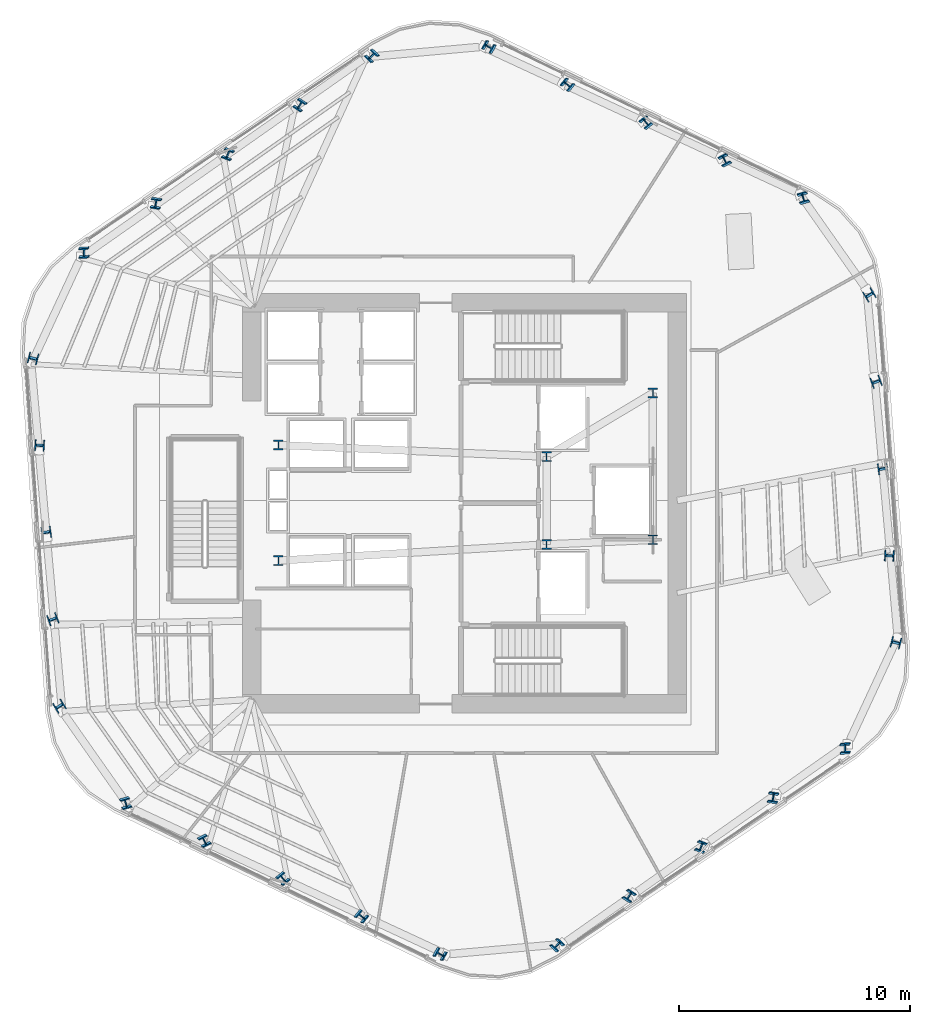
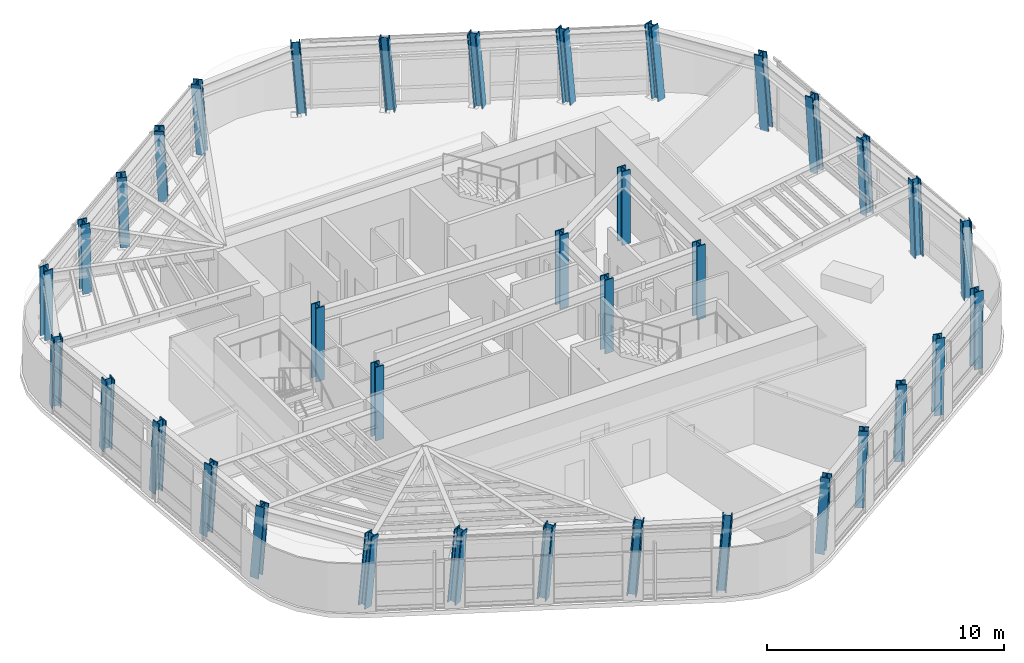
# One storey, part 1 of 15: 36 columns.
"""IFC4 building model written with IfcOpenShell, lengths in metres."""

from ifc_helpers import new_model, si_unit, direction, frame, origin, origin_2d, place, context, subcontext, project, spatial, i_section, extrude, material, material_profile, profile_set, type_object, element, save


model = new_model("IFC4")

# Units and contexts
model_context = context("Model", 3, precision=1e-05, world=origin(), true_north=direction((0.0, 1.0)))
body_context = subcontext(model_context, "Body", "Model", "MODEL_VIEW")
ifc_project = project(units=[si_unit("LENGTHUNIT", "METRE"), si_unit("AREAUNIT", "SQUARE_METRE"), si_unit("VOLUMEUNIT", "CUBIC_METRE"), si_unit("PLANEANGLEUNIT", "RADIAN"), si_unit("MASSUNIT", "GRAM", prefix="KILO")], contexts=[model_context])

# Site, building, storey
site_placement = place(None, origin())
site = spatial("IfcSite", under=ifc_project, at=site_placement, CompositionType="ELEMENT")
building_placement = place(site_placement, origin())
building = spatial("IfcBuilding", under=site, at=building_placement, Name="Valkerne Bourse Tower", CompositionType="ELEMENT")
storey_placement = place(building_placement, frame((0.0, 0.0, 170.39990234375)))
storey = spatial("IfcBuildingStorey", under=building, at=storey_placement, Name="L43", CompositionType="ELEMENT", Elevation=170.39990234375)

# Columns
ifc_material = material(Name="Steel ASTM A913 Grade 65", Category="steel")
ifc_material_profile_1 = material_profile(ifc_material, i_section(OverallWidth=0.406494140625, OverallDepth=0.41650390625, WebThickness=0.02978515625, FlangeThickness=0.048095703125, FilletRadius=0.025390625, at=origin_2d()), Name="W14X257")
ifc_profile_set_1 = profile_set([ifc_material_profile_1], Name="Steel ASTM A913 Grade 65")
column_type_1 = type_object("IfcColumnType", Name="COL-W14X257", PredefinedType="COLUMN", material=ifc_profile_set_1)
column_1_placement = place(storey_placement, frame((61.48681640625, 40.05224609375, 0.010009765625), z_axis=(-0.054573994097, 0.060366045358, 0.996683309651), x_axis=(0.958762762517, 0.281992045064, 0.035418240095)))
element("IfcColumn", 1, at=column_1_placement, inside=storey, type_object=column_type_1, Name="L43 Helical Perimeter Tube Column F1-C1", PredefinedType="COLUMN", context=body_context, shape_type="SweptSolid", body=[
    extrude(i_section(OverallWidth=0.406494140625, OverallDepth=0.41650390625, WebThickness=0.02978515625, FlangeThickness=0.048095703125, FilletRadius=0.025390625, at=origin_2d()), origin(), (0.0, 0.0, 1.0), 3.793701171875),
])
column_2_placement = place(storey_placement, frame((58.091552734375, 41.693359375, 0.010009765625), z_axis=(-0.061225194993, 0.046289080126, 0.997050047169), x_axis=(0.889116827942, 0.456459547518, 0.033405804139)))
element("IfcColumn", 2, at=column_2_placement, inside=storey, type_object=column_type_1, Name="L43 Helical Perimeter Tube Column F1-C2", PredefinedType="COLUMN", context=body_context, shape_type="SweptSolid", body=[
    extrude(i_section(OverallWidth=0.406494140625, OverallDepth=0.41650390625, WebThickness=0.02978515625, FlangeThickness=0.048095703125, FilletRadius=0.025390625, at=origin_2d()), origin(), (0.0, 0.0, 1.0), 3.792236328125),
])
column_3_placement = place(storey_placement, frame((54.696533203125, 43.334716796875, 0.010009765625), z_axis=(-0.067928907619, 0.03219379508, 0.997170608807), x_axis=(0.777763971271, 0.627704389264, 0.032717039779)))
element("IfcColumn", 3, at=column_3_placement, inside=storey, type_object=column_type_1, Name="L43 Helical Perimeter Tube Column F1-C3", PredefinedType="COLUMN", context=body_context, shape_type="SweptSolid", body=[
    extrude(i_section(OverallWidth=0.406494140625, OverallDepth=0.41650390625, WebThickness=0.02978515625, FlangeThickness=0.048095703125, FilletRadius=0.025390625, at=origin_2d()), origin(), (0.0, 0.0, 1.0), 3.791748046875),
])
column_4_placement = place(storey_placement, frame((51.301513671875, 44.975830078125, 0.010009765625), z_axis=(-0.074616058452, 0.018090692343, 0.997048228859), x_axis=(0.633865059269, 0.772721458257, 0.033416082774)))
element("IfcColumn", 4, at=column_4_placement, inside=storey, type_object=column_type_1, Name="L43 Helical Perimeter Tube Column F1-C4", PredefinedType="COLUMN", context=body_context, shape_type="SweptSolid", body=[
    extrude(i_section(OverallWidth=0.406494140625, OverallDepth=0.41650390625, WebThickness=0.02978515625, FlangeThickness=0.048095703125, FilletRadius=0.025390625, at=origin_2d()), origin(), (0.0, 0.0, 1.0), 3.792236328125),
])
column_5_placement = place(storey_placement, frame((47.90625, 46.6171875, 0.010009765625), z_axis=(-0.081281795783, 0.003925724104, 0.996683429362), x_axis=(0.476715268701, 0.878343979349, 0.035417601965)))
element("IfcColumn", 5, at=column_5_placement, inside=storey, type_object=column_type_1, Name="L43 Helical Perimeter Tube Column F1-C5", PredefinedType="COLUMN", context=body_context, shape_type="SweptSolid", body=[
    extrude(i_section(OverallWidth=0.406494140625, OverallDepth=0.41650390625, WebThickness=0.02978515625, FlangeThickness=0.048095703125, FilletRadius=0.025390625, at=origin_2d()), origin(), (0.0, 0.0, 1.0), 3.793701171875),
])
column_6_placement = place(storey_placement, frame((42.83984375, 46.2451171875, 0.010009765625), z_axis=(-0.079544426954, -0.016990071777, 0.99668652123), x_axis=(-0.72062420747, 0.691816821459, -0.045719111485)))
element("IfcColumn", 6, at=column_6_placement, inside=storey, type_object=column_type_1, Name="L43 Helical Perimeter Tube Column F2-C1", PredefinedType="COLUMN", context=body_context, shape_type="SweptSolid", body=[
    extrude(i_section(OverallWidth=0.406494140625, OverallDepth=0.41650390625, WebThickness=0.02978515625, FlangeThickness=0.048095703125, FilletRadius=0.025390625, at=origin_2d()), origin(), (0.0, 0.0, 1.0), 3.79345703125),
])
column_7_placement = place(storey_placement, frame((39.720947265625, 44.12548828125, 0.010009765625), z_axis=(-0.070689094076, -0.029872258335, 0.997051001785), x_axis=(-0.838171352748, 0.543698566715, -0.043135275416)))
element("IfcColumn", 7, at=column_7_placement, inside=storey, type_object=column_type_1, Name="L43 Helical Perimeter Tube Column F2-C2", PredefinedType="COLUMN", context=body_context, shape_type="SweptSolid", body=[
    extrude(i_section(OverallWidth=0.406494140625, OverallDepth=0.41650390625, WebThickness=0.02978515625, FlangeThickness=0.048095703125, FilletRadius=0.025390625, at=origin_2d()), origin(), (0.0, 0.0, 1.0), 3.792236328125),
])
column_8_placement = place(storey_placement, frame((36.60205078125, 42.005859375, 0.010009765625), z_axis=(-0.061876465807, -0.042688966524, 0.997170474451), x_axis=(-0.931027569482, 0.362494533211, -0.042253736602)))
element("IfcColumn", 8, at=column_8_placement, inside=storey, type_object=column_type_1, Name="L43 Helical Perimeter Tube Column F2-C3", PredefinedType="COLUMN", context=body_context, shape_type="SweptSolid", body=[
    extrude(i_section(OverallWidth=0.406494140625, OverallDepth=0.41650390625, WebThickness=0.02978515625, FlangeThickness=0.048095703125, FilletRadius=0.025390625, at=origin_2d()), origin(), (0.0, 0.0, 1.0), 3.791748046875),
])
column_9_placement = place(storey_placement, frame((33.483154296875, 39.88623046875, 0.010009765625), z_axis=(-0.052984499078, -0.055559687369, 0.9970485264), x_axis=(-0.985310332742, 0.165231161367, -0.043153348717)))
element("IfcColumn", 9, at=column_9_placement, inside=storey, type_object=column_type_1, Name="L43 Helical Perimeter Tube Column F2-C4", PredefinedType="COLUMN", context=body_context, shape_type="SweptSolid", body=[
    extrude(i_section(OverallWidth=0.406494140625, OverallDepth=0.41650390625, WebThickness=0.02978515625, FlangeThickness=0.048095703125, FilletRadius=0.025390625, at=origin_2d()), origin(), (0.0, 0.0, 1.0), 3.792236328125),
])
for number, where, z_axis, x_axis, name in (
    (10, (30.364013671875, 37.7666015625, 0.010009765625), (-0.044019691949, -0.068410720091, 0.996685627516), (-0.998675997386, -0.023568034393, -0.045725266531), "L43 Helical Perimeter Tube Column F2-C5"),
    (11, (28.153076171875, 33.193115234375, 0.010009765625), (-0.02503455434, -0.077420485529, 0.996684172398), (-0.236143585995, -0.968323839644, -0.081148927103), "L43 Helical Perimeter Tube Column F3-C1"),
):
    element("IfcColumn", number, at=place(storey_placement, frame(where, z_axis=z_axis, x_axis=x_axis)), inside=storey, type_object=column_type_1, Name=name, PredefinedType="COLUMN", context=body_context, shape_type="SweptSolid", body=[
        extrude(i_section(OverallWidth=0.406494140625, OverallDepth=0.41650390625, WebThickness=0.02978515625, FlangeThickness=0.048095703125, FilletRadius=0.025390625, at=origin_2d()), origin(), (0.0, 0.0, 1.0), 3.793701171875),
    ])
column_10_placement = place(storey_placement, frame((28.42919921875, 29.43212890625, 0.010009765625), z_axis=(-0.00946383658, -0.076161351528, 0.997050592663), x_axis=(-0.049938876592, -0.995815036307, -0.076540982941)))
element("IfcColumn", 12, at=column_10_placement, inside=storey, type_object=column_type_1, Name="L43 Helical Perimeter Tube Column F3-C2", PredefinedType="COLUMN", context=body_context, shape_type="SweptSolid", body=[
    extrude(i_section(OverallWidth=0.406494140625, OverallDepth=0.41650390625, WebThickness=0.02978515625, FlangeThickness=0.048095703125, FilletRadius=0.025390625, at=origin_2d()), origin(), (0.0, 0.0, 1.0), 3.792236328125),
])
column_11_placement = place(storey_placement, frame((28.70556640625, 25.671142578125, 0.010009765625), z_axis=(0.0060524538, -0.074883018819, 0.997173957389), x_axis=(0.153119455541, -0.985363185651, -0.07492546095)))
element("IfcColumn", 13, at=column_11_placement, inside=storey, type_object=column_type_1, Name="L43 Helical Perimeter Tube Column F3-C3", PredefinedType="COLUMN", context=body_context, shape_type="SweptSolid", body=[
    extrude(i_section(OverallWidth=0.406494140625, OverallDepth=0.41650390625, WebThickness=0.02978515625, FlangeThickness=0.048095703125, FilletRadius=0.025390625, at=origin_2d()), origin(), (0.0, 0.0, 1.0), 3.791748046875),
])
column_12_placement = place(storey_placement, frame((28.981689453125, 21.910400390625, 0.010009765625), z_axis=(0.021631602531, -0.073650456236, 0.997049489277), x_axis=(0.350487046379, -0.933433511178, -0.076555277612)))
element("IfcColumn", 14, at=column_12_placement, inside=storey, type_object=column_type_1, Name="L43 Helical Perimeter Tube Column F3-C4", PredefinedType="COLUMN", context=body_context, shape_type="SweptSolid", body=[
    extrude(i_section(OverallWidth=0.406494140625, OverallDepth=0.41650390625, WebThickness=0.02978515625, FlangeThickness=0.048095703125, FilletRadius=0.025390625, at=origin_2d()), origin(), (0.0, 0.0, 1.0), 3.792236328125),
])
for number, where, z_axis, x_axis, name in (
    (15, (29.2578125, 18.1494140625, 0.010009765625), (0.037197954939, -0.072336507529, 0.996686380878), (0.519704028106, -0.850486304125, -0.081121943183), "L43 Helical Perimeter Tube Column F3-C5"),
    (16, (32.11328125, 13.94775390625, 0.010009765625), (0.054509829307, -0.06036625725, 0.996686808127), (0.958929132182, 0.281428123565, -0.035399586431), "L43 Helical Perimeter Tube Column F4-C1"),
):
    element("IfcColumn", number, at=place(storey_placement, frame(where, z_axis=z_axis, x_axis=x_axis)), inside=storey, type_object=column_type_1, Name=name, PredefinedType="COLUMN", context=body_context, shape_type="SweptSolid", body=[
        extrude(i_section(OverallWidth=0.406494140625, OverallDepth=0.41650390625, WebThickness=0.02978515625, FlangeThickness=0.048095703125, FilletRadius=0.025390625, at=origin_2d()), origin(), (0.0, 0.0, 1.0), 3.79345703125),
    ])
column_13_placement = place(storey_placement, frame((35.50830078125, 12.306640625, 0.010009765625), z_axis=(0.061225194993, -0.046289080126, 0.997050047169), x_axis=(0.889116827942, 0.456459547518, -0.033405804139)))
element("IfcColumn", 17, at=column_13_placement, inside=storey, type_object=column_type_1, Name="L43 Helical Perimeter Tube Column F4-C2", PredefinedType="COLUMN", context=body_context, shape_type="SweptSolid", body=[
    extrude(i_section(OverallWidth=0.406494140625, OverallDepth=0.41650390625, WebThickness=0.02978515625, FlangeThickness=0.048095703125, FilletRadius=0.025390625, at=origin_2d()), origin(), (0.0, 0.0, 1.0), 3.792236328125),
])
column_14_placement = place(storey_placement, frame((38.903564453125, 10.665283203125, 0.010009765625), z_axis=(0.067864816714, -0.032193935823, 0.997174968172), x_axis=(0.777996072944, 0.627418004745, -0.032691861465)))
element("IfcColumn", 18, at=column_14_placement, inside=storey, type_object=column_type_1, Name="L43 Helical Perimeter Tube Column F4-C3", PredefinedType="COLUMN", context=body_context, shape_type="SweptSolid", body=[
    extrude(i_section(OverallWidth=0.406494140625, OverallDepth=0.41650390625, WebThickness=0.02978515625, FlangeThickness=0.048095703125, FilletRadius=0.025390625, at=origin_2d()), origin(), (0.0, 0.0, 1.0), 3.791748046875),
])
column_15_placement = place(storey_placement, frame((42.298583984375, 9.024169921875, 0.010009765625), z_axis=(0.074616058452, -0.018090692343, 0.997048228859), x_axis=(0.633865059269, 0.772721458257, -0.033416082774)))
element("IfcColumn", 19, at=column_15_placement, inside=storey, type_object=column_type_1, Name="L43 Helical Perimeter Tube Column F4-C4", PredefinedType="COLUMN", context=body_context, shape_type="SweptSolid", body=[
    extrude(i_section(OverallWidth=0.406494140625, OverallDepth=0.41650390625, WebThickness=0.02978515625, FlangeThickness=0.048095703125, FilletRadius=0.025390625, at=origin_2d()), origin(), (0.0, 0.0, 1.0), 3.792236328125),
])
column_16_placement = place(storey_placement, frame((45.693603515625, 7.3828125, 0.010009765625), z_axis=(0.081281795783, -0.003925724104, 0.996683429362), x_axis=(0.476715268701, 0.878343979349, -0.035417601965)))
element("IfcColumn", 20, at=column_16_placement, inside=storey, type_object=column_type_1, Name="L43 Helical Perimeter Tube Column F4-C5", PredefinedType="COLUMN", context=body_context, shape_type="SweptSolid", body=[
    extrude(i_section(OverallWidth=0.406494140625, OverallDepth=0.41650390625, WebThickness=0.02978515625, FlangeThickness=0.048095703125, FilletRadius=0.025390625, at=origin_2d()), origin(), (0.0, 0.0, 1.0), 3.793701171875),
])
column_17_placement = place(storey_placement, frame((50.76025390625, 7.7548828125, 0.010009765625), z_axis=(0.079544426954, 0.016990071777, 0.99668652123), x_axis=(-0.72062420747, 0.691816821459, 0.045719111485)))
element("IfcColumn", 21, at=column_17_placement, inside=storey, type_object=column_type_1, Name="L43 Helical Perimeter Tube Column F5-C1", PredefinedType="COLUMN", context=body_context, shape_type="SweptSolid", body=[
    extrude(i_section(OverallWidth=0.406494140625, OverallDepth=0.41650390625, WebThickness=0.02978515625, FlangeThickness=0.048095703125, FilletRadius=0.025390625, at=origin_2d()), origin(), (0.0, 0.0, 1.0), 3.79345703125),
])
column_18_placement = place(storey_placement, frame((53.879150390625, 9.87451171875, 0.010009765625), z_axis=(0.070689094076, 0.029872258335, 0.997051001785), x_axis=(-0.838171352748, 0.543698566715, 0.043135275416)))
element("IfcColumn", 22, at=column_18_placement, inside=storey, type_object=column_type_1, Name="L43 Helical Perimeter Tube Column F5-C2", PredefinedType="COLUMN", context=body_context, shape_type="SweptSolid", body=[
    extrude(i_section(OverallWidth=0.406494140625, OverallDepth=0.41650390625, WebThickness=0.02978515625, FlangeThickness=0.048095703125, FilletRadius=0.025390625, at=origin_2d()), origin(), (0.0, 0.0, 1.0), 3.792236328125),
])
column_19_placement = place(storey_placement, frame((56.998046875, 11.994140625, 0.010009765625), z_axis=(0.061812324362, 0.042689136513, 0.99717444521), x_axis=(-0.931205735547, 0.362040055461, 0.042224120188)))
element("IfcColumn", 23, at=column_19_placement, inside=storey, type_object=column_type_1, Name="L43 Helical Perimeter Tube Column F5-C3", PredefinedType="COLUMN", context=body_context, shape_type="SweptSolid", body=[
    extrude(i_section(OverallWidth=0.406494140625, OverallDepth=0.41650390625, WebThickness=0.02978515625, FlangeThickness=0.048095703125, FilletRadius=0.025390625, at=origin_2d()), origin(), (0.0, 0.0, 1.0), 3.791748046875),
])
column_20_placement = place(storey_placement, frame((60.116943359375, 14.11376953125, 0.010009765625), z_axis=(0.05292029978, 0.055559876776, 0.99705192541), x_axis=(-0.985411797342, 0.164631465913, 0.043128529885)))
element("IfcColumn", 24, at=column_20_placement, inside=storey, type_object=column_type_1, Name="L43 Helical Perimeter Tube Column F5-C4", PredefinedType="COLUMN", context=body_context, shape_type="SweptSolid", body=[
    extrude(i_section(OverallWidth=0.406494140625, OverallDepth=0.41650390625, WebThickness=0.02978515625, FlangeThickness=0.048095703125, FilletRadius=0.025390625, at=origin_2d()), origin(), (0.0, 0.0, 1.0), 3.792236328125),
])
column_21_placement = place(storey_placement, frame((63.23583984375, 16.2333984375, 0.010009765625), z_axis=(0.044019691949, 0.068410720091, 0.996685627516), x_axis=(-0.998675997386, -0.023568034393, 0.045725266531)))
element("IfcColumn", 25, at=column_21_placement, inside=storey, type_object=column_type_1, Name="L43 Helical Perimeter Tube Column F5-C5", PredefinedType="COLUMN", context=body_context, shape_type="SweptSolid", body=[
    extrude(i_section(OverallWidth=0.406494140625, OverallDepth=0.41650390625, WebThickness=0.02978515625, FlangeThickness=0.048095703125, FilletRadius=0.025390625, at=origin_2d()), origin(), (0.0, 0.0, 1.0), 3.793701171875),
])
column_22_placement = place(storey_placement, frame((65.447021484375, 20.806884765625, 0.010009765625), z_axis=(0.024970238338, 0.077420610104, 0.996685776124), x_axis=(-0.235415104867, -0.968502844447, 0.081129333154)))
element("IfcColumn", 26, at=column_22_placement, inside=storey, type_object=column_type_1, Name="L43 Helical Perimeter Tube Column F6-C1", PredefinedType="COLUMN", context=body_context, shape_type="SweptSolid", body=[
    extrude(i_section(OverallWidth=0.406494140625, OverallDepth=0.41650390625, WebThickness=0.02978515625, FlangeThickness=0.048095703125, FilletRadius=0.025390625, at=origin_2d()), origin(), (0.0, 0.0, 1.0), 3.79345703125),
])
column_23_placement = place(storey_placement, frame((65.170654296875, 24.56787109375, 0.010009765625), z_axis=(0.00946383658, 0.076161351528, 0.997050592663), x_axis=(-0.049938876592, -0.995815036307, 0.076540982941)))
element("IfcColumn", 27, at=column_23_placement, inside=storey, type_object=column_type_1, Name="L43 Helical Perimeter Tube Column F6-C2", PredefinedType="COLUMN", context=body_context, shape_type="SweptSolid", body=[
    extrude(i_section(OverallWidth=0.406494140625, OverallDepth=0.41650390625, WebThickness=0.02978515625, FlangeThickness=0.048095703125, FilletRadius=0.025390625, at=origin_2d()), origin(), (0.0, 0.0, 1.0), 3.792236328125),
])
column_24_placement = place(storey_placement, frame((64.89453125, 28.328857421875, 0.010009765625), z_axis=(-0.00611683921, 0.074882989481, 0.99717356672), x_axis=(0.153961070351, -0.98523164239, 0.074930632258)))
element("IfcColumn", 28, at=column_24_placement, inside=storey, type_object=column_type_1, Name="L43 Helical Perimeter Tube Column F6-C3", PredefinedType="COLUMN", context=body_context, shape_type="SweptSolid", body=[
    extrude(i_section(OverallWidth=0.406494140625, OverallDepth=0.41650390625, WebThickness=0.02978515625, FlangeThickness=0.048095703125, FilletRadius=0.025390625, at=origin_2d()), origin(), (0.0, 0.0, 1.0), 3.791748046875),
])
column_25_placement = place(storey_placement, frame((64.618408203125, 32.089599609375, 0.010009765625), z_axis=(-0.021695952041, 0.073650353516, 0.997048098685), x_axis=(0.351237505634, -0.93314990543, 0.076573289288)))
element("IfcColumn", 29, at=column_25_placement, inside=storey, type_object=column_type_1, Name="L43 Helical Perimeter Tube Column F6-C4", PredefinedType="COLUMN", context=body_context, shape_type="SweptSolid", body=[
    extrude(i_section(OverallWidth=0.406494140625, OverallDepth=0.41650390625, WebThickness=0.02978515625, FlangeThickness=0.048095703125, FilletRadius=0.025390625, at=origin_2d()), origin(), (0.0, 0.0, 1.0), 3.792236328125),
])
column_26_placement = place(storey_placement, frame((64.342041015625, 35.8505859375, 0.010009765625), z_axis=(-0.037197954939, 0.072336507529, 0.996686380878), x_axis=(0.519704028106, -0.850486304125, 0.081121943183)))
element("IfcColumn", 30, at=column_26_placement, inside=storey, type_object=column_type_1, Name="L43 Helical Perimeter Tube Column F6-C5", PredefinedType="COLUMN", context=body_context, shape_type="SweptSolid", body=[
    extrude(i_section(OverallWidth=0.406494140625, OverallDepth=0.41650390625, WebThickness=0.02978515625, FlangeThickness=0.048095703125, FilletRadius=0.025390625, at=origin_2d()), origin(), (0.0, 0.0, 1.0), 3.79345703125),
])
ifc_material_profile_2 = material_profile(ifc_material, i_section(OverallWidth=0.408935546875, OverallDepth=0.42431640625, WebThickness=0.03271484375, FlangeThickness=0.052490234375, FilletRadius=0.025390625, at=origin_2d()), Name="W14X283")
ifc_profile_set_2 = profile_set([ifc_material_profile_2], Name="Steel ASTM A913 Grade 65")
column_type_2 = type_object("IfcColumnType", Name="COL-W14X283", PredefinedType="COLUMN", material=ifc_profile_set_2)
for number, where, z_axis, x_axis, name in (
    (31, (38.75, 24.39990234375, 0.005126953125), (0.0, 0.0, 1.0), (1.0, 0.0, 0.0), "L43 Core Frame Column CC-SW"),
    (32, (38.75, 29.39990234375, 0.005126953125), (0.0, 0.0, 1.0), (1.0, 0.0, 0.0), "L43 Core Frame Column CC-NW"),
    (33, (50.35009765625, 25.10009765625, 0.005126953125), (0.0, 0.0, 1.0), (1.0, 0.0, 0.0), "L43 Core Frame Column CC-CE1"),
    (34, (50.35009765625, 28.89990234375, 0.005126953125), (0.0, 0.0, 1.0), (1.0, 0.0, 0.0), "L43 Core Frame Column CC-CE2"),
    (35, (54.949951171875, 25.300048828125, 0.005126953125), (0.0, 0.0, 1.0), (1.0, 0.0, 0.0), "L43 Core Frame Column CC-SE"),
    (36, (54.949951171875, 31.64990234375, 0.005126953125), (0.0, 0.0, 1.0), (1.0, 0.0, 0.0), "L43 Core Frame Column CC-NE"),
):
    element("IfcColumn", number, at=place(storey_placement, frame(where, z_axis=z_axis, x_axis=x_axis)), inside=storey, type_object=column_type_2, Name=name, PredefinedType="COLUMN", context=body_context, shape_type="SweptSolid", body=[
        extrude(i_section(OverallWidth=0.408935546875, OverallDepth=0.42431640625, WebThickness=0.03271484375, FlangeThickness=0.052490234375, FilletRadius=0.025390625, at=origin_2d()), origin(), (0.0, 0.0, 1.0), 3.794921875),
    ])

save(model, "model.ifc")
